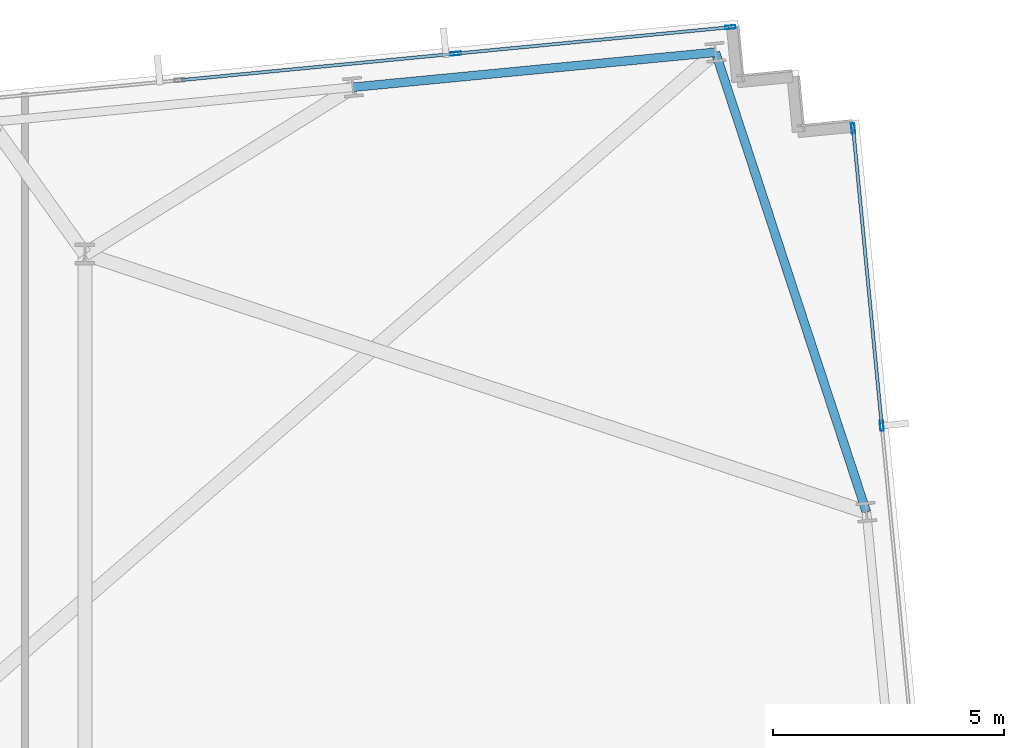
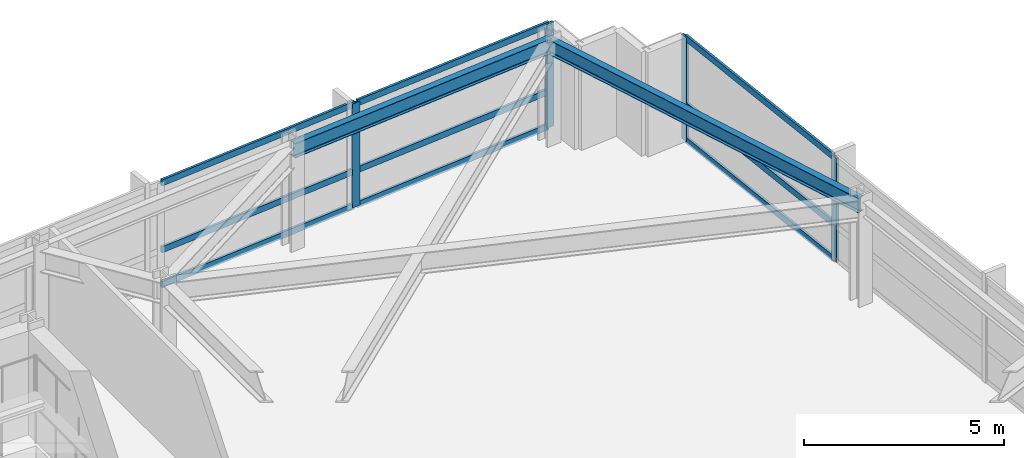
# One storey, part 23 of 33: 13 members, 2 beams, 2 elements without a shape of their own.
"""IFC4 building model written with IfcOpenShell, lengths in metres."""

from ifc_helpers import new_model, si_unit, direction, frame, origin, origin_2d, place, context, subcontext, project, spatial, hollow_rectangle, i_section, extrude, material, material_profile, profile_set, type_object, element, aggregate, save


model = new_model("IFC4")

# Units and contexts
model_context = context("Model", 3, precision=1e-05, world=origin(), true_north=direction((0.0, 1.0)))
body_context = subcontext(model_context, "Body", "Model", "MODEL_VIEW")
ifc_project = project(units=[si_unit("LENGTHUNIT", "METRE"), si_unit("AREAUNIT", "SQUARE_METRE"), si_unit("VOLUMEUNIT", "CUBIC_METRE"), si_unit("PLANEANGLEUNIT", "RADIAN"), si_unit("MASSUNIT", "GRAM", prefix="KILO")], contexts=[model_context])

# Site, building, storey
site_placement = place(None, origin())
site = spatial("IfcSite", under=ifc_project, at=site_placement, CompositionType="ELEMENT")
building_placement = place(site_placement, origin())
building = spatial("IfcBuilding", under=site, at=building_placement, Name="Yelkora Congress Tower", CompositionType="ELEMENT")
storey_placement = place(building_placement, frame((0.0, 0.0, 89.699951171875)))
storey = spatial("IfcBuildingStorey", under=building, at=storey_placement, Name="L23", CompositionType="ELEMENT", Elevation=89.699951171875)

# Beams
ifc_material_1 = material(Name="Steel S355J2", Category="steel")
ifc_material_profile_1 = material_profile(ifc_material_1, i_section(OverallWidth=0.18994140625, OverallDepth=0.449951171875, WebThickness=0.009521484375, FlangeThickness=0.0146484375, FilletRadius=0.02099609375, at=origin_2d()), Name="IPE 450")
ifc_profile_set_1 = profile_set([ifc_material_profile_1], Name="Steel S355J2")
beam_type = type_object("IfcBeamType", Name="BM-SPAN-IPE450", PredefinedType="SPANDREL", material=ifc_profile_set_1)
beam_1_placement = place(storey_placement, frame((74.522216796875, 40.610595703125, 2.955078125), z_axis=(-0.311961656523, 0.950094692575, 0.0), x_axis=(-0.950094692575, -0.311961656523, 0.0)))
element("IfcBeam", 1, at=beam_1_placement, inside=storey, type_object=beam_type, Name="L23 Perimeter Beam 13", PredefinedType="SPANDREL", context=body_context, shape_type="SweptSolid", body=[
    extrude(i_section(OverallWidth=0.18994140625, OverallDepth=0.449951171875, WebThickness=0.009521484375, FlangeThickness=0.0146484375, FilletRadius=0.02099609375, at=origin_2d()), origin(), (0.0, 0.0, 1.0), 10.48046875),
])
beam_2_placement = place(storey_placement, frame((71.252685546875, 50.568115234375, 2.955078125), z_axis=(-0.995392621281, -0.095882894719, 0.0), x_axis=(0.095882894719, -0.995392621281, 0.0)))
element("IfcBeam", 2, at=beam_2_placement, inside=storey, type_object=beam_type, Name="L23 Perimeter Beam 14", PredefinedType="SPANDREL", context=body_context, shape_type="SweptSolid", body=[
    extrude(i_section(OverallWidth=0.18994140625, OverallDepth=0.449951171875, WebThickness=0.009521484375, FlangeThickness=0.0146484375, FilletRadius=0.02099609375, at=origin_2d()), origin(), (0.0, 0.0, 1.0), 7.8857421875),
])

# Curtain wall, members
ifc_material_2 = material(Name="Anodised aluminium and insulated glass", Category="aluminium")
curtain_wall_type = type_object("IfcCurtainWallType", Name="CW-SYS-SKY", PredefinedType="NOTDEFINED", material=ifc_material_2)
curtain_wall_1_placement = place(storey_placement, origin())
curtain_wall_1 = element("IfcCurtainWall", 3, at=curtain_wall_1_placement, inside=storey, type_object=curtain_wall_type, Name="L23 Unitised Curtain Wall 10 (3)", PredefinedType="NOTDEFINED")
ifc_material_3 = material(Name="Anodised aluminium 6063-T6", Category="aluminium")
ifc_material_profile_2 = material_profile(ifc_material_3, hollow_rectangle(XDim=0.074951171875, YDim=0.219970703125, WallThickness=0.0048828125, at=origin_2d()), Name="ALU 75x220x5")
ifc_profile_set_2 = profile_set([ifc_material_profile_2], Name="Anodised aluminium 6063-T6")
member_type_1 = type_object("IfcMemberType", Name="MEM-ML-SKY", PredefinedType="MULLION", material=ifc_profile_set_2)
member_1_placement = place(storey_placement, frame((65.63037109375, 50.5390625, 0.0), z_axis=(0.0, 0.0, 1.0), x_axis=(-0.095845465919, 0.995396225964, 0.0)))
member_1 = element("IfcMember", 4, at=member_1_placement, type_object=member_type_1, Name="CW-SKY mullion 8", PredefinedType="MULLION", context=body_context, shape_type="SweptSolid", body=[
    extrude(hollow_rectangle(XDim=0.074951171875, YDim=0.219970703125, WallThickness=0.0048828125, at=origin_2d()), origin(), (0.0, 0.0, 1.0), 3.179931640625),
])
member_2_placement = place(storey_placement, frame((71.574462890625, 51.111328125, 0.0), z_axis=(0.0, 0.0, 1.0), x_axis=(-0.095845465919, 0.995396225964, 0.0)))
member_2 = element("IfcMember", 5, at=member_2_placement, type_object=member_type_1, Name="CW-SKY mullion 9", PredefinedType="MULLION", context=body_context, shape_type="SweptSolid", body=[
    extrude(hollow_rectangle(XDim=0.074951171875, YDim=0.219970703125, WallThickness=0.0048828125, at=origin_2d()), origin(), (0.0, 0.0, 1.0), 3.179931640625),
])

curtain_wall_2_placement = place(storey_placement, origin())
curtain_wall_2 = element("IfcCurtainWall", 6, at=curtain_wall_2_placement, inside=storey, type_object=curtain_wall_type, Name="L23 Unitised Curtain Wall 15", PredefinedType="NOTDEFINED")
member_3_placement = place(storey_placement, frame((74.234375, 48.918701171875, 0.0), z_axis=(0.0, 0.0, 1.0), x_axis=(0.995396507508, 0.095842541913, 0.0)))
member_3 = element("IfcMember", 7, at=member_3_placement, type_object=member_type_1, Name="CW-SKY mullion 1", PredefinedType="MULLION", context=body_context, shape_type="SweptSolid", body=[
    extrude(hollow_rectangle(XDim=0.074951171875, YDim=0.219970703125, WallThickness=0.0048828125, at=origin_2d()), origin(), (0.0, 0.0, 1.0), 3.179931640625),
])
member_4_placement = place(storey_placement, frame((74.854248046875, 42.48193359375, 0.0), z_axis=(0.0, 0.0, 1.0), x_axis=(0.995396507508, 0.095842541913, 0.0)))
member_4 = element("IfcMember", 8, at=member_4_placement, type_object=member_type_1, Name="CW-SKY mullion 2", PredefinedType="MULLION", context=body_context, shape_type="SweptSolid", body=[
    extrude(hollow_rectangle(XDim=0.074951171875, YDim=0.219970703125, WallThickness=0.0048828125, at=origin_2d()), origin(), (0.0, 0.0, 1.0), 3.179931640625),
])

# Member
ifc_material_profile_3 = material_profile(ifc_material_3, hollow_rectangle(XDim=0.070068359375, YDim=0.18994140625, WallThickness=0.00390625, at=origin_2d()), Name="ALU 70x190x4")
ifc_profile_set_3 = profile_set([ifc_material_profile_3], Name="Anodised aluminium 6063-T6")
member_type_2 = type_object("IfcMemberType", Name="MEM-TR-SKY", PredefinedType="USERDEFINED", material=ifc_profile_set_3)
member_5_placement = place(storey_placement, frame((59.686279296875, 49.966552734375, 0.03515625), z_axis=(0.995394695823, 0.09586135576, 0.0), x_axis=(-0.09586135576, 0.995394695823, 0.0)))
member_5 = element("IfcMember", 9, at=member_5_placement, type_object=member_type_2, Name="CW-SKY transom 7.1", ObjectType="TRANSOM", PredefinedType="USERDEFINED", context=body_context, shape_type="SweptSolid", body=[
    extrude(hollow_rectangle(XDim=0.070068359375, YDim=0.18994140625, WallThickness=0.00390625, at=origin_2d()), origin(), (0.0, 0.0, 1.0), 5.93408203125),
])

member_6_placement = place(storey_placement, frame((59.686279296875, 49.966552734375, 1.10009765625), z_axis=(0.995394695823, 0.09586135576, 0.0), x_axis=(-0.09586135576, 0.995394695823, 0.0)))
member_6 = element("IfcMember", 10, at=member_6_placement, type_object=member_type_2, Name="CW-SKY transom 7.2", ObjectType="TRANSOM", PredefinedType="USERDEFINED", context=body_context, shape_type="SweptSolid", body=[
    extrude(hollow_rectangle(XDim=0.070068359375, YDim=0.18994140625, WallThickness=0.00390625, at=origin_2d()), origin(), (0.0, 0.0, 1.0), 5.93408203125),
])

member_7_placement = place(storey_placement, frame((59.686279296875, 49.966552734375, 3.14501953125), z_axis=(0.995394695823, 0.09586135576, 0.0), x_axis=(-0.09586135576, 0.995394695823, 0.0)))
member_7 = element("IfcMember", 11, at=member_7_placement, type_object=member_type_2, Name="CW-SKY transom 7.3", ObjectType="TRANSOM", PredefinedType="USERDEFINED", context=body_context, shape_type="SweptSolid", body=[
    extrude(hollow_rectangle(XDim=0.070068359375, YDim=0.18994140625, WallThickness=0.00390625, at=origin_2d()), origin(), (0.0, 0.0, 1.0), 5.93408203125),
])

member_8_placement = place(storey_placement, frame((65.667724609375, 50.54248046875, 0.03515625), z_axis=(0.99539612449, 0.095846519765, 0.0), x_axis=(-0.095846519765, 0.99539612449, 0.0)))
member_8 = element("IfcMember", 12, at=member_8_placement, type_object=member_type_2, Name="CW-SKY transom 8.1", ObjectType="TRANSOM", PredefinedType="USERDEFINED", context=body_context, shape_type="SweptSolid", body=[
    extrude(hollow_rectangle(XDim=0.070068359375, YDim=0.18994140625, WallThickness=0.00390625, at=origin_2d()), origin(), (0.0, 0.0, 1.0), 5.896728515625),
])

member_9_placement = place(storey_placement, frame((65.667724609375, 50.54248046875, 1.10009765625), z_axis=(0.99539612449, 0.095846519765, 0.0), x_axis=(-0.095846519765, 0.99539612449, 0.0)))
member_9 = element("IfcMember", 13, at=member_9_placement, type_object=member_type_2, Name="CW-SKY transom 8.2", ObjectType="TRANSOM", PredefinedType="USERDEFINED", context=body_context, shape_type="SweptSolid", body=[
    extrude(hollow_rectangle(XDim=0.070068359375, YDim=0.18994140625, WallThickness=0.00390625, at=origin_2d()), origin(), (0.0, 0.0, 1.0), 5.896728515625),
])

member_10_placement = place(storey_placement, frame((65.667724609375, 50.54248046875, 3.14501953125), z_axis=(0.99539612449, 0.095846519765, 0.0), x_axis=(-0.095846519765, 0.99539612449, 0.0)))
member_10 = element("IfcMember", 14, at=member_10_placement, type_object=member_type_2, Name="CW-SKY transom 8.3", ObjectType="TRANSOM", PredefinedType="USERDEFINED", context=body_context, shape_type="SweptSolid", body=[
    extrude(hollow_rectangle(XDim=0.070068359375, YDim=0.18994140625, WallThickness=0.00390625, at=origin_2d()), origin(), (0.0, 0.0, 1.0), 5.896728515625),
])

aggregate(curtain_wall_1, [member_1, member_2, member_5, member_6, member_7, member_8, member_9, member_10])

member_11_placement = place(storey_placement, frame((74.238037109375, 48.88134765625, 0.03515625), z_axis=(0.095838322904, -0.99539691373, 0.0), x_axis=(0.99539691373, 0.095838322904, 0.0)))
member_11 = element("IfcMember", 15, at=member_11_placement, type_object=member_type_2, Name="CW-SKY transom 1.1", ObjectType="TRANSOM", PredefinedType="USERDEFINED", context=body_context, shape_type="SweptSolid", body=[
    extrude(hollow_rectangle(XDim=0.070068359375, YDim=0.18994140625, WallThickness=0.00390625, at=origin_2d()), origin(), (0.0, 0.0, 1.0), 6.3916015625),
])

member_12_placement = place(storey_placement, frame((74.238037109375, 48.88134765625, 1.10009765625), z_axis=(0.095838322904, -0.99539691373, 0.0), x_axis=(0.99539691373, 0.095838322904, 0.0)))
member_12 = element("IfcMember", 16, at=member_12_placement, type_object=member_type_2, Name="CW-SKY transom 1.2", ObjectType="TRANSOM", PredefinedType="USERDEFINED", context=body_context, shape_type="SweptSolid", body=[
    extrude(hollow_rectangle(XDim=0.070068359375, YDim=0.18994140625, WallThickness=0.00390625, at=origin_2d()), origin(), (0.0, 0.0, 1.0), 6.3916015625),
])

member_13_placement = place(storey_placement, frame((74.238037109375, 48.88134765625, 3.14501953125), z_axis=(0.095838322904, -0.99539691373, 0.0), x_axis=(0.99539691373, 0.095838322904, 0.0)))
member_13 = element("IfcMember", 17, at=member_13_placement, type_object=member_type_2, Name="CW-SKY transom 1.3", ObjectType="TRANSOM", PredefinedType="USERDEFINED", context=body_context, shape_type="SweptSolid", body=[
    extrude(hollow_rectangle(XDim=0.070068359375, YDim=0.18994140625, WallThickness=0.00390625, at=origin_2d()), origin(), (0.0, 0.0, 1.0), 6.3916015625),
])

aggregate(curtain_wall_2, [member_3, member_4, member_11, member_12, member_13])

save(model, "model.ifc")
